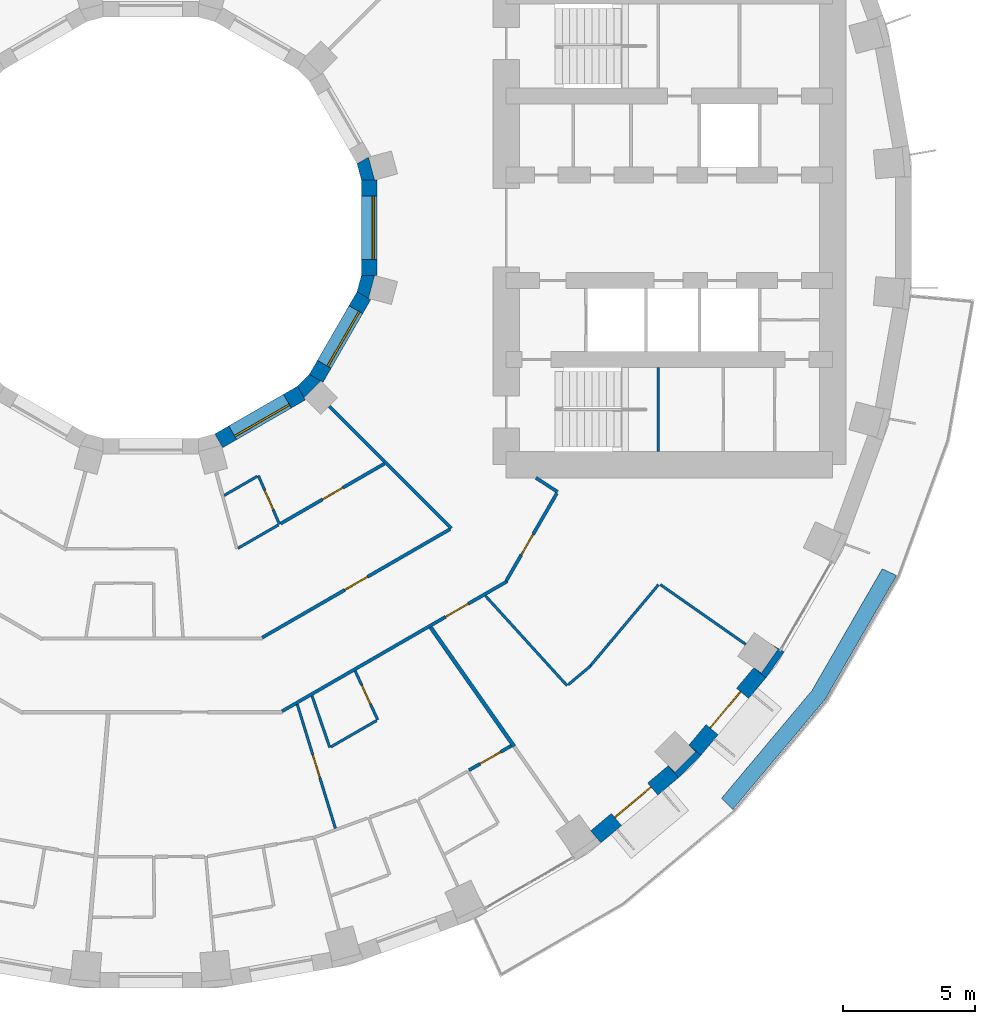
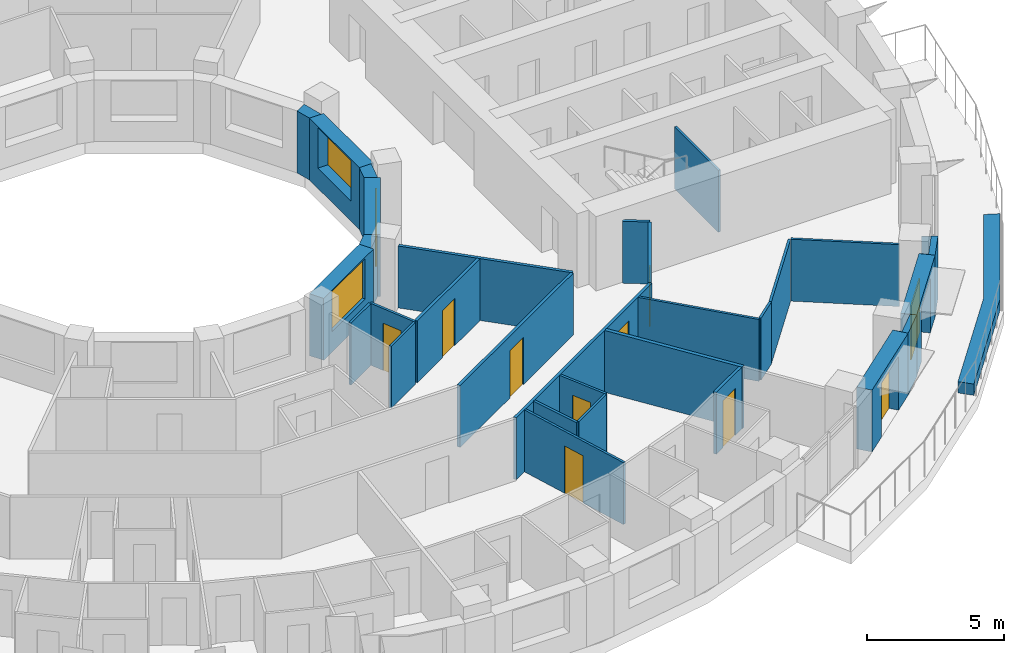
# One storey, part 8 of 15: 31 walls, 10 doors, 3 windows, 13 openings.
"""IFC4 building model written with IfcOpenShell, lengths in metres."""

from ifc_helpers import new_model, si_unit, direction, frame, frame_2d, origin, place, context, subcontext, project, spatial, polyline, rectangle, outline, extrude, material, layer, layer_set, type_object, element, fill, save


model = new_model("IFC4")

# Units and contexts
model_context = context("Model", 3, precision=1e-05, world=origin(), true_north=direction((0.0, 1.0)))
body_context = subcontext(model_context, "Body", "Model", "MODEL_VIEW")
ifc_project = project(units=[si_unit("LENGTHUNIT", "METRE"), si_unit("AREAUNIT", "SQUARE_METRE"), si_unit("VOLUMEUNIT", "CUBIC_METRE"), si_unit("PLANEANGLEUNIT", "RADIAN"), si_unit("MASSUNIT", "GRAM", prefix="KILO")], contexts=[model_context])

# Site, building, storey
site_placement = place(None, origin())
site = spatial("IfcSite", under=ifc_project, at=site_placement, CompositionType="ELEMENT")
building_placement = place(site_placement, origin())
building = spatial("IfcBuilding", under=site, at=building_placement, Name="Saqina Gate Tower", CompositionType="ELEMENT")
storey_placement = place(building_placement, frame((0.0, 0.0, 42.800048828125)))
storey = spatial("IfcBuildingStorey", under=building, at=storey_placement, Name="L11", CompositionType="ELEMENT", Elevation=42.800048828125)

# Walls
ifc_material_1 = material(Name="Brick masonry (red)", Category="masonry")
wall_type_1 = type_object("IfcWallType", Name="BRICK PIER COPING RED", PredefinedType="SOLIDWALL", material=ifc_material_1)
wall_1_placement = place(storey_placement, origin())
element("IfcWall", 1, at=wall_1_placement, inside=storey, type_object=wall_type_1, Name="Pier cap L11 column 32", PredefinedType="SOLIDWALL", context=body_context, shape_type="SweptSolid", body=[
    extrude(outline(polyline([(20.894775390625, -20.04296875), (20.43505859375, -19.6572265625), (20.682861328125, -19.905029296875), (19.905029296875, -20.682861328125), (19.6572265625, -20.43505859375), (20.04296875, -20.894775390625), (20.894775390625, -20.04296875)])), origin(), (0.0, 0.0, 1.0), 2.75),
])
wall_2_placement = place(storey_placement, origin())
element("IfcWall", 2, at=wall_2_placement, inside=storey, type_object=wall_type_1, Name="Pier cap L11 column 33", PredefinedType="SOLIDWALL", context=body_context, shape_type="SweptSolid", body=[
    extrude(outline(polyline([(23.36669921875, -17.096923828125), (24.0576171875, -16.110107421875), (23.5380859375, -15.81005859375), (23.8251953125, -16.010986328125), (23.194091796875, -16.912109375), (22.9072265625, -16.711181640625), (23.36669921875, -17.096923828125)])), origin(), (0.0, 0.0, 1.0), 2.75),
])

# Wall, opening, door
ifc_material_2 = material(Name="Brick masonry (red)", Category="masonry")
ifc_layer_1 = layer(ifc_material_2, 0.60009765625)
ifc_layer_set_1 = layer_set([ifc_layer_1], Name="FW-BRICK-RED")
wall_type_2 = type_object("IfcWallType", Name="FW-BRICK-RED", PredefinedType="SOLIDWALL", material=ifc_layer_set_1)
wall_3_placement = place(storey_placement, frame((16.904052734375, -23.136962890625, 0.0), z_axis=(0.0, 0.0, 1.0), x_axis=(0.766026164483, 0.642809392687, 0.0)))
wall_3 = element("IfcWall", 3, at=wall_3_placement, inside=storey, type_object=wall_type_2, Name="Facade wall L11 facet 31", PredefinedType="SOLIDWALL", context=body_context, shape_type="SweptSolid", body=[
    extrude(rectangle(XDim=3.845947265625, YDim=0.60009765625, at=frame_2d((1.9228515625, 0.0))), origin(), (0.0, 0.0, 1.0), 2.75),
])
opening_1_placement = place(wall_3_placement, frame((1.02294921875, 0.0, 0.0)))
opening_1 = element("IfcOpeningElement", 4, at=opening_1_placement, cuts=wall_3, Name="Opening G02-D80", PredefinedType="OPENING", context=body_context, shape_type="SweptSolid", body=[
    extrude(rectangle(XDim=1.800048828125, YDim=2.39990234375, at=frame_2d((0.89990234375, 1.199951171875))), frame((0.0, 0.31201171875, 0.0), z_axis=(0.0, -1.0, 0.0), x_axis=(1.0, 0.0, 0.0)), (0.0, 0.0, 1.0), 0.6240234375),
])
ifc_material_3 = material(Name="Aluminium glazing", Category="aluminium")
door_type_1 = type_object("IfcDoorType", Name="GD-A", OperationType="DOUBLE_DOOR_SINGLE_SWING", PredefinedType="DOOR", material=ifc_material_3)
door_1_placement = place(opening_1_placement, frame((1.800048828125, 0.0, 0.0), z_axis=(0.0, 0.0, 1.0), x_axis=(-1.0, 0.0, 0.0)))
door_1 = element("IfcDoor", 5, at=door_1_placement, inside=storey, type_object=door_type_1, Name="Terrace door L11 facet 31", OperationType="DOUBLE_DOOR_SINGLE_SWING", OverallHeight=2.39990234375, OverallWidth=1.800048828125, PredefinedType="DOOR", context=body_context, shape_type="SweptSolid", body=[
    extrude(rectangle(XDim=1.800048828125, YDim=2.39990234375, at=frame_2d((0.89990234375, 1.199951171875))), frame((0.0, -0.0751953125, 0.0), z_axis=(0.0, -1.0, 0.0), x_axis=(1.0, 0.0, 0.0)), (0.0, 0.0, 1.0), 0.050048828125),
])
fill(opening_1, door_1)

wall_4_placement = place(storey_placement, frame((20.664794921875, -19.85009765625, 0.0), z_axis=(0.0, 0.0, 1.0), x_axis=(0.642809392687, 0.766026164483, 0.0)))
wall_4 = element("IfcWall", 6, at=wall_4_placement, inside=storey, type_object=wall_type_2, Name="Facade wall L11 facet 32", PredefinedType="SOLIDWALL", context=body_context, shape_type="SweptSolid", body=[
    extrude(rectangle(XDim=3.845947265625, YDim=0.60009765625, at=frame_2d((1.9228515625, 0.0))), origin(), (0.0, 0.0, 1.0), 2.75),
])
opening_2_placement = place(wall_4_placement, frame((1.02294921875, 0.0, 0.0)))
opening_2 = element("IfcOpeningElement", 7, at=opening_2_placement, cuts=wall_4, Name="Opening G02-D81", PredefinedType="OPENING", context=body_context, shape_type="SweptSolid", body=[
    extrude(rectangle(XDim=1.800048828125, YDim=2.39990234375, at=frame_2d((0.89990234375, 1.199951171875))), frame((0.0, 0.31201171875, 0.0), z_axis=(0.0, -1.0, 0.0), x_axis=(1.0, 0.0, 0.0)), (0.0, 0.0, 1.0), 0.6240234375),
])
door_2_placement = place(opening_2_placement, frame((1.800048828125, 0.0, 0.0), z_axis=(0.0, 0.0, 1.0), x_axis=(-1.0, 0.0, 0.0)))
door_2 = element("IfcDoor", 8, at=door_2_placement, inside=storey, type_object=door_type_1, Name="Terrace door L11 facet 32", OperationType="DOUBLE_DOOR_SINGLE_SWING", OverallHeight=2.39990234375, OverallWidth=1.800048828125, PredefinedType="DOOR", context=body_context, shape_type="SweptSolid", body=[
    extrude(rectangle(XDim=1.800048828125, YDim=2.39990234375, at=frame_2d((0.89990234375, 1.199951171875))), frame((0.0, -0.0751953125, 0.0), z_axis=(0.0, -1.0, 0.0), x_axis=(1.0, 0.0, 0.0)), (0.0, 0.0, 1.0), 0.050048828125),
])
fill(opening_2, door_2)

# Wall, opening, window
ifc_material_4 = material(Name="Glazed ceramic tile", Category="ceramic")
ifc_layer_2 = layer(ifc_material_4, 0.60009765625)
ifc_layer_set_2 = layer_set([ifc_layer_2], Name="IW-TILE")
wall_type_3 = type_object("IfcWallType", Name="IW-TILE", PredefinedType="SOLIDWALL", material=ifc_layer_set_2)
wall_5_placement = place(storey_placement, frame((2.580322265625, -8.09423828125, 0.0), z_axis=(0.0, 0.0, 1.0), x_axis=(0.866029693906, 0.499992569217, 0.0)))
wall_5 = element("IfcWall", 9, at=wall_5_placement, inside=storey, type_object=wall_type_3, Name="Well wall L11 facet 10", PredefinedType="SOLIDWALL", context=body_context, shape_type="SweptSolid", body=[
    extrude(rectangle(XDim=3.625, YDim=0.60009765625, at=frame_2d((1.8125, 0.0))), origin(), (0.0, 0.0, 1.0), 2.75),
])
opening_3_placement = place(wall_5_placement, frame((0.612548828125, 0.0, 0.89990234375)))
opening_3 = element("IfcOpeningElement", 10, at=opening_3_placement, cuts=wall_5, Name="Opening G02-W32", PredefinedType="OPENING", context=body_context, shape_type="SweptSolid", body=[
    extrude(rectangle(XDim=2.39990234375, YDim=1.800048828125, at=frame_2d((1.199951171875, 0.89990234375))), frame((0.0, 0.31201171875, 0.0), z_axis=(0.0, -1.0, 0.0), x_axis=(1.0, 0.0, 0.0)), (0.0, 0.0, 1.0), 0.6240234375),
])
ifc_material_5 = material(Name="Aluminium glazing", Category="aluminium")
window_type = type_object("IfcWindowType", Name="WN-W", PartitioningType="SINGLE_PANEL", PredefinedType="WINDOW", material=ifc_material_5)
window_1_placement = place(opening_3_placement, origin())
window_1 = element("IfcWindow", 11, at=window_1_placement, inside=storey, type_object=window_type, Name="Well window L11 facet 10", OverallHeight=1.800048828125, OverallWidth=2.39990234375, PartitioningType="SINGLE_PANEL", PredefinedType="WINDOW", context=body_context, shape_type="SweptSolid", body=[
    extrude(rectangle(XDim=2.39990234375, YDim=1.800048828125, at=frame_2d((1.199951171875, 0.89990234375))), frame((0.0, -0.119873046875, 0.0), z_axis=(0.0, -1.0, 0.0), x_axis=(1.0, 0.0, 0.0)), (0.0, 0.0, 1.0), 0.06005859375),
])
fill(opening_3, window_1)

wall_6_placement = place(storey_placement, frame((6.28173828125, -5.7197265625, 0.0), z_axis=(0.0, 0.0, 1.0), x_axis=(0.499992569217, 0.866029693906, 0.0)))
wall_6 = element("IfcWall", 12, at=wall_6_placement, inside=storey, type_object=wall_type_3, Name="Well wall L11 facet 11", PredefinedType="SOLIDWALL", context=body_context, shape_type="SweptSolid", body=[
    extrude(rectangle(XDim=3.625, YDim=0.60009765625, at=frame_2d((1.8125, 0.0))), origin(), (0.0, 0.0, 1.0), 2.75),
])
opening_4_placement = place(wall_6_placement, frame((0.612548828125, 0.0, 0.89990234375)))
opening_4 = element("IfcOpeningElement", 13, at=opening_4_placement, cuts=wall_6, Name="Opening G02-W33", PredefinedType="OPENING", context=body_context, shape_type="SweptSolid", body=[
    extrude(rectangle(XDim=2.39990234375, YDim=1.800048828125, at=frame_2d((1.199951171875, 0.89990234375))), frame((0.0, 0.31201171875, 0.0), z_axis=(0.0, -1.0, 0.0), x_axis=(1.0, 0.0, 0.0)), (0.0, 0.0, 1.0), 0.6240234375),
])
window_2_placement = place(opening_4_placement, origin())
window_2 = element("IfcWindow", 14, at=window_2_placement, inside=storey, type_object=window_type, Name="Well window L11 facet 11", OverallHeight=1.800048828125, OverallWidth=2.39990234375, PartitioningType="SINGLE_PANEL", PredefinedType="WINDOW", context=body_context, shape_type="SweptSolid", body=[
    extrude(rectangle(XDim=2.39990234375, YDim=1.800048828125, at=frame_2d((1.199951171875, 0.89990234375))), frame((0.0, -0.119873046875, 0.0), z_axis=(0.0, -1.0, 0.0), x_axis=(1.0, 0.0, 0.0)), (0.0, 0.0, 1.0), 0.06005859375),
])
fill(opening_4, window_2)

wall_7_placement = place(storey_placement, frame((8.300048828125, -1.8125, 0.0), z_axis=(0.0, 0.0, 1.0), x_axis=(0.0, 1.0, 0.0)))
wall_7 = element("IfcWall", 15, at=wall_7_placement, inside=storey, type_object=wall_type_3, Name="Well wall L11 facet 12", PredefinedType="SOLIDWALL", context=body_context, shape_type="SweptSolid", body=[
    extrude(rectangle(XDim=3.625, YDim=0.60009765625, at=frame_2d((1.8125, 0.0))), origin(), (0.0, 0.0, 1.0), 2.75),
])
opening_5_placement = place(wall_7_placement, frame((0.612548828125, 0.0, 0.89990234375)))
opening_5 = element("IfcOpeningElement", 16, at=opening_5_placement, cuts=wall_7, Name="Opening G02-W34", PredefinedType="OPENING", context=body_context, shape_type="SweptSolid", body=[
    extrude(rectangle(XDim=2.39990234375, YDim=1.800048828125, at=frame_2d((1.199951171875, 0.89990234375))), frame((0.0, 0.31201171875, 0.0), z_axis=(0.0, -1.0, 0.0), x_axis=(1.0, 0.0, 0.0)), (0.0, 0.0, 1.0), 0.6240234375),
])
window_3_placement = place(opening_5_placement, origin())
window_3 = element("IfcWindow", 17, at=window_3_placement, inside=storey, type_object=window_type, Name="Well window L11 facet 12", OverallHeight=1.800048828125, OverallWidth=2.39990234375, PartitioningType="SINGLE_PANEL", PredefinedType="WINDOW", context=body_context, shape_type="SweptSolid", body=[
    extrude(rectangle(XDim=2.39990234375, YDim=1.800048828125, at=frame_2d((1.199951171875, 0.89990234375))), frame((0.0, -0.119873046875, 0.0), z_axis=(0.0, -1.0, 0.0), x_axis=(1.0, 0.0, 0.0)), (0.0, 0.0, 1.0), 0.06005859375),
])
fill(opening_5, window_3)

# Wall, opening, door
ifc_material_6 = material(Name="Gypsum board on steel studs, 100 mm", Category="steel")
ifc_layer_3 = layer(ifc_material_6, 0.10009765625)
ifc_layer_set_3 = layer_set([ifc_layer_3], Name="PARTITION 100")
wall_type_4 = type_object("IfcWallType", Name="PARTITION 100", PredefinedType="PARTITIONING", material=ifc_layer_set_3)
wall_8_placement = place(storey_placement, frame((5.5634765625, -18.104736328125, 0.0), z_axis=(0.0, 0.0, 1.0), x_axis=(0.293856171107, -0.955849648586, 0.0)))
wall_8 = element("IfcWall", 18, at=wall_8_placement, inside=storey, type_object=wall_type_4, Name="PARTITION PW3-16", PredefinedType="PARTITIONING", context=body_context, shape_type="SweptSolid", body=[
    extrude(rectangle(XDim=4.93017578125, YDim=0.10009765625, at=frame_2d((2.465087890625, 0.0))), origin(), (0.0, 0.0, 1.0), 2.75),
])
opening_6_placement = place(wall_8_placement, frame((2.0087890625, 0.0, 0.0)))
opening_6 = element("IfcOpeningElement", 19, at=opening_6_placement, cuts=wall_8, Name="Opening G02-D57", PredefinedType="OPENING", context=body_context, shape_type="SweptSolid", body=[
    extrude(rectangle(XDim=0.89990234375, YDim=2.10009765625, at=frame_2d((0.449951171875, 1.050048828125))), frame((0.0, 0.06201171875, 0.0), z_axis=(0.0, -1.0, 0.0), x_axis=(1.0, 0.0, 0.0)), (0.0, 0.0, 1.0), 0.1240234375),
])
ifc_material_7 = material(Name="Timber door leaf, 900 mm", Category="wood")
door_type_2 = type_object("IfcDoorType", Name="DOOR 900 TIMBER", OperationType="SINGLE_SWING_LEFT", PredefinedType="DOOR", material=ifc_material_7)
door_3_placement = place(opening_6_placement, frame((0.89990234375, 0.0, 0.0), z_axis=(0.0, 0.0, 1.0), x_axis=(-1.0, 0.0, 0.0)))
door_3 = element("IfcDoor", 20, at=door_3_placement, inside=storey, type_object=door_type_2, Name="DOOR G02-D57", OperationType="SINGLE_SWING_RIGHT", OverallHeight=2.10009765625, OverallWidth=0.89990234375, PredefinedType="DOOR", context=body_context, shape_type="SweptSolid", body=[
    extrude(rectangle(XDim=0.89990234375, YDim=2.10009765625, at=frame_2d((0.449951171875, 1.050048828125))), frame((0.0, 0.02490234375, 0.0), z_axis=(0.0, -1.0, 0.0), x_axis=(1.0, 0.0, 0.0)), (0.0, 0.0, 1.0), 0.050048828125),
])
fill(opening_6, door_3)

# Wall
wall_9_placement = place(storey_placement, frame((6.123291015625, -17.781982421875, 0.0), z_axis=(0.0, 0.0, 1.0), x_axis=(0.325345833464, -0.945595097622, 0.0)))
element("IfcWall", 21, at=wall_9_placement, inside=storey, type_object=wall_type_4, Name="PARTITION PW3-17", PredefinedType="PARTITIONING", context=body_context, shape_type="SweptSolid", body=[
    extrude(rectangle(XDim=2.0771484375, YDim=0.10009765625, at=frame_2d((1.03857421875, 0.0))), origin(), (0.0, 0.0, 1.0), 2.75),
])

# Wall, opening, door
wall_10_placement = place(storey_placement, frame((4.0859375, -9.4189453125, 0.0), z_axis=(0.0, 0.0, 1.0), x_axis=(0.39850887435, -0.917164476561, 0.0)))
wall_10 = element("IfcWall", 22, at=wall_10_placement, inside=storey, type_object=wall_type_4, Name="PARTITION PW3-20", PredefinedType="PARTITIONING", context=body_context, shape_type="SweptSolid", body=[
    extrude(rectangle(XDim=2.013671875, YDim=0.10009765625, at=frame_2d((1.0068359375, 0.0))), origin(), (0.0, 0.0, 1.0), 2.75),
])
opening_7_placement = place(wall_10_placement, frame((0.606201171875, 0.0, 0.0)))
opening_7 = element("IfcOpeningElement", 23, at=opening_7_placement, cuts=wall_10, Name="Opening G02-D60", PredefinedType="OPENING", context=body_context, shape_type="SweptSolid", body=[
    extrude(rectangle(XDim=0.800048828125, YDim=2.10009765625, at=frame_2d((0.39990234375, 1.050048828125))), frame((0.0, 0.06201171875, 0.0), z_axis=(0.0, -1.0, 0.0), x_axis=(1.0, 0.0, 0.0)), (0.0, 0.0, 1.0), 0.1240234375),
])
ifc_material_8 = material(Name="Timber door leaf, 800 mm", Category="wood")
door_type_3 = type_object("IfcDoorType", Name="DOOR 800 TIMBER", OperationType="SINGLE_SWING_LEFT", PredefinedType="DOOR", material=ifc_material_8)
door_4_placement = place(opening_7_placement, origin())
door_4 = element("IfcDoor", 24, at=door_4_placement, inside=storey, type_object=door_type_3, Name="DOOR G02-D60", OperationType="SINGLE_SWING_RIGHT", OverallHeight=2.10009765625, OverallWidth=0.800048828125, PredefinedType="DOOR", context=body_context, shape_type="SweptSolid", body=[
    extrude(rectangle(XDim=0.800048828125, YDim=2.10009765625, at=frame_2d((0.39990234375, 1.050048828125))), frame((0.0, 0.02490234375, 0.0), z_axis=(0.0, -1.0, 0.0), x_axis=(1.0, 0.0, 0.0)), (0.0, 0.0, 1.0), 0.050048828125),
])
fill(opening_7, door_4)

wall_11_placement = place(storey_placement, frame((7.76318359375, -16.836669921875, 0.0), z_axis=(0.0, 0.0, 1.0), x_axis=(0.418740408402, -0.908105979702, 0.0)))
wall_11 = element("IfcWall", 25, at=wall_11_placement, inside=storey, type_object=wall_type_4, Name="PARTITION PW3-21", PredefinedType="PARTITIONING", context=body_context, shape_type="SweptSolid", body=[
    extrude(rectangle(XDim=2.04638671875, YDim=0.10009765625, at=frame_2d((1.023193359375, 0.0))), origin(), (0.0, 0.0, 1.0), 2.75),
])
opening_8_placement = place(wall_11_placement, frame((0.591796875, 0.0, 0.0)))
opening_8 = element("IfcOpeningElement", 26, at=opening_8_placement, cuts=wall_11, Name="Opening G02-D61", PredefinedType="OPENING", context=body_context, shape_type="SweptSolid", body=[
    extrude(rectangle(XDim=0.800048828125, YDim=2.10009765625, at=frame_2d((0.39990234375, 1.050048828125))), frame((0.0, 0.06201171875, 0.0), z_axis=(0.0, -1.0, 0.0), x_axis=(1.0, 0.0, 0.0)), (0.0, 0.0, 1.0), 0.1240234375),
])
door_5_placement = place(opening_8_placement, origin())
door_5 = element("IfcDoor", 27, at=door_5_placement, inside=storey, type_object=door_type_3, Name="DOOR G02-D61", OperationType="SINGLE_SWING_LEFT", OverallHeight=2.10009765625, OverallWidth=0.800048828125, PredefinedType="DOOR", context=body_context, shape_type="SweptSolid", body=[
    extrude(rectangle(XDim=0.800048828125, YDim=2.10009765625, at=frame_2d((0.39990234375, 1.050048828125))), frame((0.0, 0.02490234375, 0.0), z_axis=(0.0, -1.0, 0.0), x_axis=(1.0, 0.0, 0.0)), (0.0, 0.0, 1.0), 0.050048828125),
])
fill(opening_8, door_5)

# Walls
wall_12_placement = place(storey_placement, frame((12.7080078125, -13.980224609375, 0.0), z_axis=(0.0, 0.0, 1.0), x_axis=(0.672630660637, -0.739978374259, 0.0)))
element("IfcWall", 28, at=wall_12_placement, inside=storey, type_object=wall_type_4, Name="PARTITION PW3-34", PredefinedType="PARTITIONING", context=body_context, shape_type="SweptSolid", body=[
    extrude(rectangle(XDim=4.61474609375, YDim=0.10009765625, at=frame_2d((2.307373046875, 0.0))), origin(), (0.0, 0.0, 1.0), 2.75),
])
wall_13_placement = place(storey_placement, frame((19.354736328125, -13.555419921875, 0.0), z_axis=(0.0, 0.0, 1.0), x_axis=(0.819211647212, -0.573491305141, 0.0)))
element("IfcWall", 29, at=wall_13_placement, inside=storey, type_object=wall_type_4, Name="PARTITION PW3-39", PredefinedType="PARTITIONING", context=body_context, shape_type="SweptSolid", body=[
    extrude(rectangle(XDim=3.96044921875, YDim=0.10009765625, at=frame_2d((1.980224609375, 0.0))), origin(), (0.0, 0.0, 1.0), 2.75),
])
wall_14_placement = place(storey_placement, frame((6.84228515625, -19.720947265625, 0.0), z_axis=(0.0, 0.0, 1.0), x_axis=(0.866104386261, 0.499863173377, 0.0)))
element("IfcWall", 30, at=wall_14_placement, inside=storey, type_object=wall_type_4, Name="PARTITION PW3-77", PredefinedType="PARTITIONING", context=body_context, shape_type="SweptSolid", body=[
    extrude(rectangle(XDim=2.00244140625, YDim=0.10009765625, at=frame_2d((1.001220703125, 0.0))), origin(), (0.0, 0.0, 1.0), 2.75),
])
wall_15_placement = place(storey_placement, frame((3.31396484375, -12.174072265625, 0.0), z_axis=(0.0, 0.0, 1.0), x_axis=(0.866185586049, 0.49972245349, 0.0)))
element("IfcWall", 31, at=wall_15_placement, inside=storey, type_object=wall_type_4, Name="PARTITION PW3-78", PredefinedType="PARTITIONING", context=body_context, shape_type="SweptSolid", body=[
    extrude(rectangle(XDim=1.76611328125, YDim=0.10009765625, at=frame_2d((0.883056640625, 0.0))), origin(), (0.0, 0.0, 1.0), 2.75),
])
wall_16_placement = place(storey_placement, frame((2.787109375, -10.168701171875, 0.0), z_axis=(0.0, 0.0, 1.0), x_axis=(0.86612109418, 0.499834222735, 0.0)))
element("IfcWall", 32, at=wall_16_placement, inside=storey, type_object=wall_type_4, Name="PARTITION PW3-79", PredefinedType="PARTITIONING", context=body_context, shape_type="SweptSolid", body=[
    extrude(rectangle(XDim=1.44970703125, YDim=0.10009765625, at=frame_2d((0.724853515625, 0.0))), origin(), (0.0, 0.0, 1.0), 2.75),
])
wall_17_placement = place(storey_placement, frame((15.850341796875, -17.36279296875, 0.0), z_axis=(0.0, 0.0, 1.0), x_axis=(0.766277754486, 0.642509457502, 0.0)))
element("IfcWall", 33, at=wall_17_placement, inside=storey, type_object=wall_type_4, Name="PARTITION PW3-84", PredefinedType="PARTITIONING", context=body_context, shape_type="SweptSolid", body=[
    extrude(rectangle(XDim=1.124267578125, YDim=0.10009765625, at=frame_2d((0.56201171875, 0.0))), origin(), (0.0, 0.0, 1.0), 2.75),
])
wall_18_placement = place(storey_placement, frame((16.705078125, -16.634765625, 0.0), z_axis=(0.0, 0.0, 1.0), x_axis=(0.642869335103, 0.765975859923, 0.0)))
element("IfcWall", 34, at=wall_18_placement, inside=storey, type_object=wall_type_4, Name="PARTITION PW3-92", PredefinedType="PARTITIONING", context=body_context, shape_type="SweptSolid", body=[
    extrude(rectangle(XDim=4.010009765625, YDim=0.10009765625, at=frame_2d((2.0048828125, 0.0))), origin(), (0.0, 0.0, 1.0), 2.75),
])
ifc_material_9 = material(Name="Gypsum board on steel studs, 125 mm, fire rated", Category="steel")
ifc_layer_4 = layer(ifc_material_9, 0.125)
ifc_layer_set_4 = layer_set([ifc_layer_4], Name="PARTITION EI 30 125")
wall_type_5 = type_object("IfcWallType", Name="PARTITION EI 30 125", PredefinedType="PARTITIONING", material=ifc_layer_set_4)
wall_19_placement = place(storey_placement, frame((6.78271484375, -6.78271484375, 0.0), z_axis=(0.0, 0.0, 1.0), x_axis=(0.707106781187, -0.707106781187, 0.0)))
element("IfcWall", 35, at=wall_19_placement, inside=storey, type_object=wall_type_5, Name="PARTITION PW1-10", PredefinedType="PARTITIONING", context=body_context, shape_type="SweptSolid", body=[
    extrude(rectangle(XDim=6.55810546875, YDim=0.125, at=frame_2d((3.279052734375, 0.0))), origin(), (0.0, 0.0, 1.0), 2.75),
])
wall_20_placement = place(storey_placement, frame((14.62890625, -9.5, 0.0), z_axis=(0.0, 0.0, 1.0), x_axis=(0.838755766808, -0.544507817801, 0.0)))
element("IfcWall", 36, at=wall_20_placement, inside=storey, type_object=wall_type_5, Name="PARTITION PW1-14", PredefinedType="PARTITIONING", context=body_context, shape_type="SweptSolid", body=[
    extrude(rectangle(XDim=0.982421875, YDim=0.125, at=frame_2d((0.4912109375, 0.0))), origin(), (0.0, 0.0, 1.0), 2.75),
])

# Wall, opening, door
wall_21_placement = place(storey_placement, frame((12.08837890625, -20.60595703125, 0.0), z_axis=(0.0, 0.0, 1.0), x_axis=(0.866049284889, 0.499958634432, 0.0)))
wall_21 = element("IfcWall", 37, at=wall_21_placement, inside=storey, type_object=wall_type_5, Name="PARTITION PW1-38", PredefinedType="PARTITIONING", context=body_context, shape_type="SweptSolid", body=[
    extrude(rectangle(XDim=1.849365234375, YDim=0.125, at=frame_2d((0.9248046875, 0.0))), origin(), (0.0, 0.0, 1.0), 2.75),
])
opening_9_placement = place(wall_21_placement, frame((0.4873046875, 0.0, 0.0)))
opening_9 = element("IfcOpeningElement", 38, at=opening_9_placement, cuts=wall_21, Name="Opening G02-D64", PredefinedType="OPENING", context=body_context, shape_type="SweptSolid", body=[
    extrude(rectangle(XDim=0.89990234375, YDim=2.10009765625, at=frame_2d((0.449951171875, 1.050048828125))), frame((0.0, 0.074462890625, 0.0), z_axis=(0.0, -1.0, 0.0), x_axis=(1.0, 0.0, 0.0)), (0.0, 0.0, 1.0), 0.14892578125),
])
ifc_material_10 = material(Name="Fire door leaf EI 30, 900 mm")
door_type_4 = type_object("IfcDoorType", Name="DOOR 900 EI 30", OperationType="SINGLE_SWING_LEFT", PredefinedType="DOOR", material=ifc_material_10)
door_6_placement = place(opening_9_placement, origin())
door_6 = element("IfcDoor", 39, at=door_6_placement, inside=storey, type_object=door_type_4, Name="DOOR G02-D64", OperationType="SINGLE_SWING_RIGHT", OverallHeight=2.10009765625, OverallWidth=0.89990234375, PredefinedType="DOOR", context=body_context, shape_type="SweptSolid", body=[
    extrude(rectangle(XDim=0.89990234375, YDim=2.10009765625, at=frame_2d((0.449951171875, 1.050048828125))), frame((0.0, 0.02490234375, 0.0), z_axis=(0.0, -1.0, 0.0), x_axis=(1.0, 0.0, 0.0)), (0.0, 0.0, 1.0), 0.050048828125),
])
fill(opening_9, door_6)

wall_22_placement = place(storey_placement, frame((4.984130859375, -18.36865234375, 0.0), z_axis=(0.0, 0.0, 1.0), x_axis=(0.86605048973, 0.49995654735, 0.0)))
wall_22 = element("IfcWall", 40, at=wall_22_placement, inside=storey, type_object=wall_type_5, Name="PARTITION PW1-39", PredefinedType="PARTITIONING", context=body_context, shape_type="SweptSolid", body=[
    extrude(rectangle(XDim=9.87060546875, YDim=0.125, at=frame_2d((4.935302734375, 0.0))), origin(), (0.0, 0.0, 1.0), 2.75),
])
opening_10_placement = place(wall_22_placement, frame((7.173828125, 0.0, 0.0)))
opening_10 = element("IfcOpeningElement", 41, at=opening_10_placement, cuts=wall_22, Name="Opening G02-D66", PredefinedType="OPENING", context=body_context, shape_type="SweptSolid", body=[
    extrude(rectangle(XDim=1.0, YDim=2.10009765625, at=frame_2d((0.5, 1.050048828125))), frame((0.0, 0.074462890625, 0.0), z_axis=(0.0, -1.0, 0.0), x_axis=(1.0, 0.0, 0.0)), (0.0, 0.0, 1.0), 0.14892578125),
])
ifc_material_11 = material(Name="Fire door leaf EI 30, 1000 mm")
door_type_5 = type_object("IfcDoorType", Name="DOOR 1000 EI 30", OperationType="SINGLE_SWING_LEFT", PredefinedType="DOOR", material=ifc_material_11)
door_7_placement = place(opening_10_placement, frame((1.0, 0.0, 0.0), z_axis=(0.0, 0.0, 1.0), x_axis=(-1.0, 0.0, 0.0)))
door_7 = element("IfcDoor", 42, at=door_7_placement, inside=storey, type_object=door_type_5, Name="DOOR G02-D66", OperationType="SINGLE_SWING_RIGHT", OverallHeight=2.10009765625, OverallWidth=1.0, PredefinedType="DOOR", context=body_context, shape_type="SweptSolid", body=[
    extrude(rectangle(XDim=1.0, YDim=2.10009765625, at=frame_2d((0.5, 1.050048828125))), frame((0.0, 0.02490234375, 0.0), z_axis=(0.0, -1.0, 0.0), x_axis=(1.0, 0.0, 0.0)), (0.0, 0.0, 1.0), 0.050048828125),
])
fill(opening_10, door_7)

wall_23_placement = place(storey_placement, frame((4.234130859375, -15.56884765625, 0.0), z_axis=(0.0, 0.0, 1.0), x_axis=(0.866028570666, 0.499994514761, 0.0)))
wall_23 = element("IfcWall", 43, at=wall_23_placement, inside=storey, type_object=wall_type_5, Name="PARTITION PW1-40", PredefinedType="PARTITIONING", context=body_context, shape_type="SweptSolid", body=[
    extrude(rectangle(XDim=8.23388671875, YDim=0.125, at=frame_2d((4.116943359375, 0.0))), origin(), (0.0, 0.0, 1.0), 2.75),
])
opening_11_placement = place(wall_23_placement, frame((3.61669921875, 0.0, 0.0)))
opening_11 = element("IfcOpeningElement", 44, at=opening_11_placement, cuts=wall_23, Name="Opening G02-D63", PredefinedType="OPENING", context=body_context, shape_type="SweptSolid", body=[
    extrude(rectangle(XDim=1.0, YDim=2.10009765625, at=frame_2d((0.5, 1.050048828125))), frame((0.0, 0.074462890625, 0.0), z_axis=(0.0, -1.0, 0.0), x_axis=(1.0, 0.0, 0.0)), (0.0, 0.0, 1.0), 0.14892578125),
])
door_8_placement = place(opening_11_placement, origin())
door_8 = element("IfcDoor", 45, at=door_8_placement, inside=storey, type_object=door_type_5, Name="DOOR G02-D63", OperationType="SINGLE_SWING_LEFT", OverallHeight=2.10009765625, OverallWidth=1.0, PredefinedType="DOOR", context=body_context, shape_type="SweptSolid", body=[
    extrude(rectangle(XDim=1.0, YDim=2.10009765625, at=frame_2d((0.5, 1.050048828125))), frame((0.0, 0.02490234375, 0.0), z_axis=(0.0, -1.0, 0.0), x_axis=(1.0, 0.0, 0.0)), (0.0, 0.0, 1.0), 0.050048828125),
])
fill(opening_11, door_8)

wall_24_placement = place(storey_placement, frame((4.932373046875, -11.239501953125, 0.0), z_axis=(0.0, 0.0, 1.0), x_axis=(0.866031166731, 0.499990018151, 0.0)))
wall_24 = element("IfcWall", 46, at=wall_24_placement, inside=storey, type_object=wall_type_5, Name="PARTITION PW1-41", PredefinedType="PARTITIONING", context=body_context, shape_type="SweptSolid", body=[
    extrude(rectangle(XDim=4.5546875, YDim=0.125, at=frame_2d((2.27734375, 0.0))), origin(), (0.0, 0.0, 1.0), 2.75),
])
opening_12_placement = place(wall_24_placement, frame((1.833740234375, 0.0, 0.0)))
opening_12 = element("IfcOpeningElement", 47, at=opening_12_placement, cuts=wall_24, Name="Opening G02-D65", PredefinedType="OPENING", context=body_context, shape_type="SweptSolid", body=[
    extrude(rectangle(XDim=0.89990234375, YDim=2.10009765625, at=frame_2d((0.449951171875, 1.050048828125))), frame((0.0, 0.074462890625, 0.0), z_axis=(0.0, -1.0, 0.0), x_axis=(1.0, 0.0, 0.0)), (0.0, 0.0, 1.0), 0.14892578125),
])
door_9_placement = place(opening_12_placement, frame((0.89990234375, 0.0, 0.0), z_axis=(0.0, 0.0, 1.0), x_axis=(-1.0, 0.0, 0.0)))
door_9 = element("IfcDoor", 48, at=door_9_placement, inside=storey, type_object=door_type_4, Name="DOOR G02-D65", OperationType="SINGLE_SWING_LEFT", OverallHeight=2.10009765625, OverallWidth=0.89990234375, PredefinedType="DOOR", context=body_context, shape_type="SweptSolid", body=[
    extrude(rectangle(XDim=0.89990234375, YDim=2.10009765625, at=frame_2d((0.449951171875, 1.050048828125))), frame((0.0, 0.02490234375, 0.0), z_axis=(0.0, -1.0, 0.0), x_axis=(1.0, 0.0, 0.0)), (0.0, 0.0, 1.0), 0.050048828125),
])
fill(opening_12, door_9)

wall_25_placement = place(storey_placement, frame((13.501220703125, -13.415771484375, 0.0), z_axis=(0.0, 0.0, 1.0), x_axis=(0.499953532967, 0.866052229876, 0.0)))
wall_25 = element("IfcWall", 49, at=wall_25_placement, inside=storey, type_object=wall_type_5, Name="PARTITION PW1-48", PredefinedType="PARTITIONING", context=body_context, shape_type="SweptSolid", body=[
    extrude(rectangle(XDim=3.841064453125, YDim=0.125, at=frame_2d((1.92041015625, 0.0))), origin(), (0.0, 0.0, 1.0), 2.75),
])
opening_13_placement = place(wall_25_placement, frame((1.146728515625, 0.0, 0.0)))
opening_13 = element("IfcOpeningElement", 50, at=opening_13_placement, cuts=wall_25, Name="Opening G02-D67", PredefinedType="OPENING", context=body_context, shape_type="SweptSolid", body=[
    extrude(rectangle(XDim=0.89990234375, YDim=2.10009765625, at=frame_2d((0.449951171875, 1.050048828125))), frame((0.0, 0.074462890625, 0.0), z_axis=(0.0, -1.0, 0.0), x_axis=(1.0, 0.0, 0.0)), (0.0, 0.0, 1.0), 0.14892578125),
])
door_10_placement = place(opening_13_placement, frame((0.89990234375, 0.0, 0.0), z_axis=(0.0, 0.0, 1.0), x_axis=(-1.0, 0.0, 0.0)))
door_10 = element("IfcDoor", 51, at=door_10_placement, inside=storey, type_object=door_type_4, Name="DOOR G02-D67", OperationType="SINGLE_SWING_RIGHT", OverallHeight=2.10009765625, OverallWidth=0.89990234375, PredefinedType="DOOR", context=body_context, shape_type="SweptSolid", body=[
    extrude(rectangle(XDim=0.89990234375, YDim=2.10009765625, at=frame_2d((0.449951171875, 1.050048828125))), frame((0.0, 0.02490234375, 0.0), z_axis=(0.0, -1.0, 0.0), x_axis=(1.0, 0.0, 0.0)), (0.0, 0.0, 1.0), 0.050048828125),
])
fill(opening_13, door_10)

# Walls
ifc_material_12 = material(Name="Gypsum board on steel studs, 150 mm, fire rated", Category="steel")
ifc_layer_5 = layer(ifc_material_12, 0.14990234375)
ifc_layer_set_5 = layer_set([ifc_layer_5], Name="PARTITION EI 60 150")
wall_type_6 = type_object("IfcWallType", Name="PARTITION EI 60 150", PredefinedType="PARTITIONING", material=ifc_layer_set_5)
wall_26_placement = place(storey_placement, frame((10.6298828125, -15.181396484375, 0.0), z_axis=(0.0, 0.0, 1.0), x_axis=(0.573951755358, -0.818889114912, 0.0)))
element("IfcWall", 52, at=wall_26_placement, inside=storey, type_object=wall_type_6, Name="PARTITION PW2-02", PredefinedType="PARTITIONING", context=body_context, shape_type="SweptSolid", body=[
    extrude(rectangle(XDim=5.52294921875, YDim=0.14990234375, at=frame_2d((2.761474609375, 0.0))), origin(), (0.0, 0.0, 1.0), 2.75),
])
ifc_material_13 = material(Name="Brick masonry (red)", Category="masonry")
ifc_layer_6 = layer(ifc_material_13, 0.60009765625)
ifc_layer_set_6 = layer_set([ifc_layer_6], Name="PL-PLANTER")
wall_type_7 = type_object("IfcWallType", Name="PL-PLANTER", PredefinedType="PARAPET", material=ifc_layer_set_6)
wall_27_placement = place(storey_placement, origin())
element("IfcWall", 53, at=wall_27_placement, inside=storey, type_object=wall_type_7, Name="Planter L11", PredefinedType="PARAPET", context=body_context, shape_type="SweptSolid", body=[
    extrude(outline(polyline([(22.103271484375, -22.103271484375), (25.60546875, -17.92919921875), (28.329833984375, -13.21044921875), (27.783935546875, -12.955810546875), (25.1123046875, -17.583740234375), (21.67724609375, -21.67724609375), (22.103271484375, -22.103271484375)])), origin(), (0.0, 0.0, 1.0), 0.5),
])
ifc_material_14 = material(Name="Autoclaved aerated concrete block", Category="concrete")
ifc_layer_7 = layer(ifc_material_14, 0.10009765625)
ifc_layer_set_7 = layer_set([ifc_layer_7], Name="STAIR ENCLOSURE WALL")
wall_type_8 = type_object("IfcWallType", Name="STAIR ENCLOSURE WALL", PredefinedType="PARTITIONING", material=ifc_layer_set_7)
wall_28_placement = place(storey_placement, frame((19.27001953125, -8.5, 0.0), z_axis=(0.0, 0.0, 1.0), x_axis=(0.0, 1.0, 0.0)))
element("IfcWall", 54, at=wall_28_placement, inside=storey, type_object=wall_type_8, Name="L11-CP-E12", PredefinedType="PARTITIONING", context=body_context, shape_type="SweptSolid", body=[
    extrude(rectangle(XDim=3.199951171875, YDim=0.10009765625, at=frame_2d((1.60009765625, 0.0))), origin(), (0.0, 0.0, 1.0), 2.75),
])
ifc_material_15 = material(Name="Glazed ceramic tile", Category="ceramic")
wall_type_9 = type_object("IfcWallType", Name="TILE PIER COPING", PredefinedType="SOLIDWALL", material=ifc_material_15)
wall_29_placement = place(storey_placement, origin())
element("IfcWall", 55, at=wall_29_placement, inside=storey, type_object=wall_type_9, Name="Well pier cap L11 column 1", PredefinedType="SOLIDWALL", context=body_context, shape_type="SweptSolid", body=[
    extrude(outline(polyline([(8.27001953125, 2.681884765625), (7.83447265625, 2.430419921875), (8.0, 1.8125), (8.502685546875, 1.8125), (8.27001953125, 2.681884765625)])), origin(), (0.0, 0.0, 1.0), 2.75),
])
wall_30_placement = place(storey_placement, origin())
element("IfcWall", 56, at=wall_30_placement, inside=storey, type_object=wall_type_9, Name="Well pier cap L11 column 11", PredefinedType="SOLIDWALL", context=body_context, shape_type="SweptSolid", body=[
    extrude(outline(polyline([(5.821044921875, -6.45751953125), (6.45751953125, -5.821044921875), (6.02197265625, -5.569580078125), (5.569580078125, -6.02197265625), (5.821044921875, -6.45751953125)])), origin(), (0.0, 0.0, 1.0), 2.75),
])
wall_31_placement = place(storey_placement, origin())
element("IfcWall", 57, at=wall_31_placement, inside=storey, type_object=wall_type_9, Name="Well pier cap L11 column 12", PredefinedType="SOLIDWALL", context=body_context, shape_type="SweptSolid", body=[
    extrude(outline(polyline([(8.502685546875, -1.8125), (8.0, -1.8125), (7.83447265625, -2.430419921875), (8.27001953125, -2.681884765625), (8.502685546875, -1.8125)])), origin(), (0.0, 0.0, 1.0), 2.75),
])

save(model, "model.ifc")
